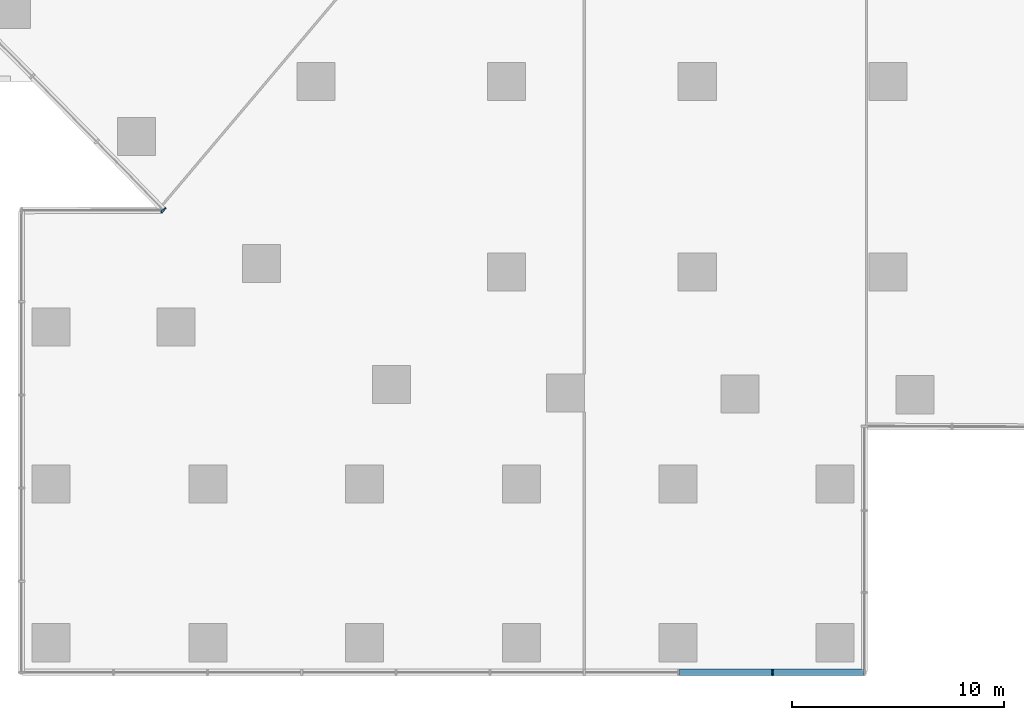
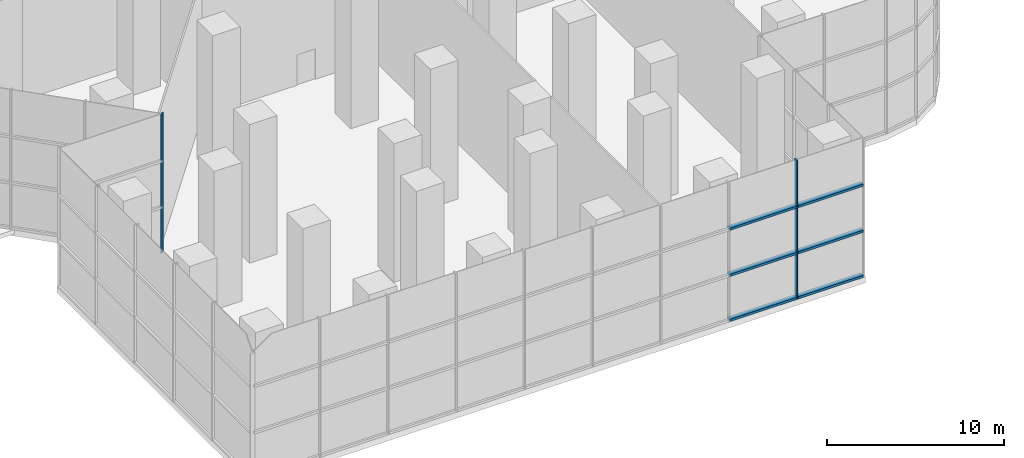
# One storey, part 3 of 21: 8 members, 2 elements without a shape of their own.
"""IFC4 building model written with IfcOpenShell, lengths in metres."""

from ifc_helpers import new_model, si_unit, direction, frame, origin, origin_2d, place, context, subcontext, project, spatial, rectangle, extrude, material, layer, layer_set, material_profile, profile_set, type_object, element, aggregate, save


model = new_model("IFC4")

# Units and contexts
model_context = context("Model", 3, precision=1e-05, world=origin(), true_north=direction((0.0, 1.0)))
body_context = subcontext(model_context, "Body", "Model", "MODEL_VIEW")
ifc_project = project(units=[si_unit("LENGTHUNIT", "METRE"), si_unit("AREAUNIT", "SQUARE_METRE"), si_unit("VOLUMEUNIT", "CUBIC_METRE"), si_unit("PLANEANGLEUNIT", "RADIAN"), si_unit("MASSUNIT", "GRAM", prefix="KILO")], contexts=[model_context])

# Site, building, storey
site_placement = place(None, origin())
site = spatial("IfcSite", under=ifc_project, at=site_placement, CompositionType="ELEMENT")
building_placement = place(site_placement, origin())
building = spatial("IfcBuilding", under=site, at=building_placement, Name="Dongbaek Canopy Tower", CompositionType="ELEMENT")
storey_placement = place(building_placement, frame((0.0, 0.0, 9.0)))
storey = spatial("IfcBuildingStorey", under=building, at=storey_placement, Name="L01", CompositionType="ELEMENT", Elevation=9.0)

# Curtain wall, member
ifc_material_1 = material(Name="Aluminium 6063-T6 pale anodised", Category="aluminium")
ifc_layer = layer(ifc_material_1, 0.300048828125)
ifc_layer_set = layer_set([ifc_layer], Name="CW-2 podium hall curtain wall")
curtain_wall_type = type_object("IfcCurtainWallType", Name="CW-2 podium hall curtain wall", PredefinedType="NOTDEFINED", material=ifc_layer_set)
curtain_wall_1_placement = place(storey_placement, origin())
curtain_wall_1 = element("IfcCurtainWall", 1, at=curtain_wall_1_placement, inside=storey, type_object=curtain_wall_type, Name="CW-2 curtain wall F8.1", PredefinedType="NOTDEFINED")
ifc_material_2 = material(Name="Aluminium 6063-T6 pale anodised", Category="aluminium")
ifc_material_profile_1 = material_profile(ifc_material_2, rectangle(XDim=0.300048828125, YDim=0.080078125, at=origin_2d()), Name="CW-2 mullion 80 x 300")
ifc_profile_set_1 = profile_set([ifc_material_profile_1], Name="Aluminium 6063-T6 pale anodised")
member_type_1 = type_object("IfcMemberType", Name="CW-2 mullion 80 x 300", PredefinedType="MULLION", material=ifc_profile_set_1)
member_1_placement = place(storey_placement, frame((-25.19775390625, -24.0771484375, 0.0), z_axis=(0.0, 0.0, 1.0), x_axis=(-0.71598108269, -0.698119681165, 0.0)))
member_1 = element("IfcMember", 2, at=member_1_placement, type_object=member_type_1, Name="CW-2 mullion F8.1.4", PredefinedType="MULLION", context=body_context, shape_type="SweptSolid", body=[
    extrude(rectangle(XDim=0.300048828125, YDim=0.080078125, at=origin_2d()), origin(), (0.0, 0.0, 1.0), 9.550048828125),
])
aggregate(curtain_wall_1, [member_1])

# Curtain wall, members
curtain_wall_2_placement = place(storey_placement, origin())
curtain_wall_2 = element("IfcCurtainWall", 3, at=curtain_wall_2_placement, inside=storey, type_object=curtain_wall_type, Name="CW-2 curtain wall F11.1", PredefinedType="NOTDEFINED")
member_2_placement = place(storey_placement, frame((3.5556640625, -45.89990234375, 0.0), z_axis=(0.0, 0.0, 1.0), x_axis=(0.0, -1.0, 0.0)))
member_2 = element("IfcMember", 4, at=member_2_placement, type_object=member_type_1, Name="CW-2 mullion F11.1.9", PredefinedType="MULLION", context=body_context, shape_type="SweptSolid", body=[
    extrude(rectangle(XDim=0.300048828125, YDim=0.080078125, at=origin_2d()), origin(), (0.0, 0.0, 1.0), 9.550048828125),
])
ifc_material_3 = material(Name="Aluminium 6063-T6 pale anodised", Category="aluminium")
ifc_material_profile_2 = material_profile(ifc_material_3, rectangle(XDim=0.300048828125, YDim=0.159912109375, at=origin_2d()), Name="CW-2 transom 160 x 300")
ifc_profile_set_2 = profile_set([ifc_material_profile_2], Name="Aluminium 6063-T6 pale anodised")
member_type_2 = type_object("IfcMemberType", Name="CW-2 transom 160 x 300", PredefinedType="USERDEFINED", material=ifc_profile_set_2)
member_3_placement = place(storey_placement, frame((-0.8369140625, -45.89990234375, 0.080078125), z_axis=(1.0, 0.0, 0.0), x_axis=(0.0, 1.0, 0.0)))
member_3 = element("IfcMember", 5, at=member_3_placement, type_object=member_type_2, Name="CW-2 transom F11.1.8.1", ObjectType="TRANSOM", PredefinedType="USERDEFINED", context=body_context, shape_type="SweptSolid", body=[
    extrude(rectangle(XDim=0.300048828125, YDim=0.159912109375, at=origin_2d()), origin(), (0.0, 0.0, 1.0), 4.340576171875),
])
member_4_placement = place(storey_placement, frame((-0.8369140625, -45.89990234375, 3.183349609375), z_axis=(1.0, 0.0, 0.0), x_axis=(0.0, 1.0, 0.0)))
member_4 = element("IfcMember", 6, at=member_4_placement, type_object=member_type_2, Name="CW-2 transom F11.1.8.2", ObjectType="TRANSOM", PredefinedType="USERDEFINED", context=body_context, shape_type="SweptSolid", body=[
    extrude(rectangle(XDim=0.300048828125, YDim=0.159912109375, at=origin_2d()), origin(), (0.0, 0.0, 1.0), 4.340576171875),
])
member_5_placement = place(storey_placement, frame((-0.8369140625, -45.89990234375, 6.36669921875), z_axis=(1.0, 0.0, 0.0), x_axis=(0.0, 1.0, 0.0)))
member_5 = element("IfcMember", 7, at=member_5_placement, type_object=member_type_2, Name="CW-2 transom F11.1.8.3", ObjectType="TRANSOM", PredefinedType="USERDEFINED", context=body_context, shape_type="SweptSolid", body=[
    extrude(rectangle(XDim=0.300048828125, YDim=0.159912109375, at=origin_2d()), origin(), (0.0, 0.0, 1.0), 4.340576171875),
])
member_6_placement = place(storey_placement, frame((3.607666015625, -45.89990234375, 0.080078125), z_axis=(1.0, 0.0, 0.0), x_axis=(0.0, 1.0, 0.0)))
member_6 = element("IfcMember", 8, at=member_6_placement, type_object=member_type_2, Name="CW-2 transom F11.1.9.1", ObjectType="TRANSOM", PredefinedType="USERDEFINED", context=body_context, shape_type="SweptSolid", body=[
    extrude(rectangle(XDim=0.300048828125, YDim=0.159912109375, at=origin_2d()), origin(), (0.0, 0.0, 1.0), 4.240234375),
])
member_7_placement = place(storey_placement, frame((3.607666015625, -45.89990234375, 3.183349609375), z_axis=(1.0, 0.0, 0.0), x_axis=(0.0, 1.0, 0.0)))
member_7 = element("IfcMember", 9, at=member_7_placement, type_object=member_type_2, Name="CW-2 transom F11.1.9.2", ObjectType="TRANSOM", PredefinedType="USERDEFINED", context=body_context, shape_type="SweptSolid", body=[
    extrude(rectangle(XDim=0.300048828125, YDim=0.159912109375, at=origin_2d()), origin(), (0.0, 0.0, 1.0), 4.240234375),
])
member_8_placement = place(storey_placement, frame((3.607666015625, -45.89990234375, 6.36669921875), z_axis=(1.0, 0.0, 0.0), x_axis=(0.0, 1.0, 0.0)))
member_8 = element("IfcMember", 10, at=member_8_placement, type_object=member_type_2, Name="CW-2 transom F11.1.9.3", ObjectType="TRANSOM", PredefinedType="USERDEFINED", context=body_context, shape_type="SweptSolid", body=[
    extrude(rectangle(XDim=0.300048828125, YDim=0.159912109375, at=origin_2d()), origin(), (0.0, 0.0, 1.0), 4.240234375),
])
aggregate(curtain_wall_2, [member_2, member_3, member_4, member_5, member_6, member_7, member_8])

save(model, "model.ifc")
